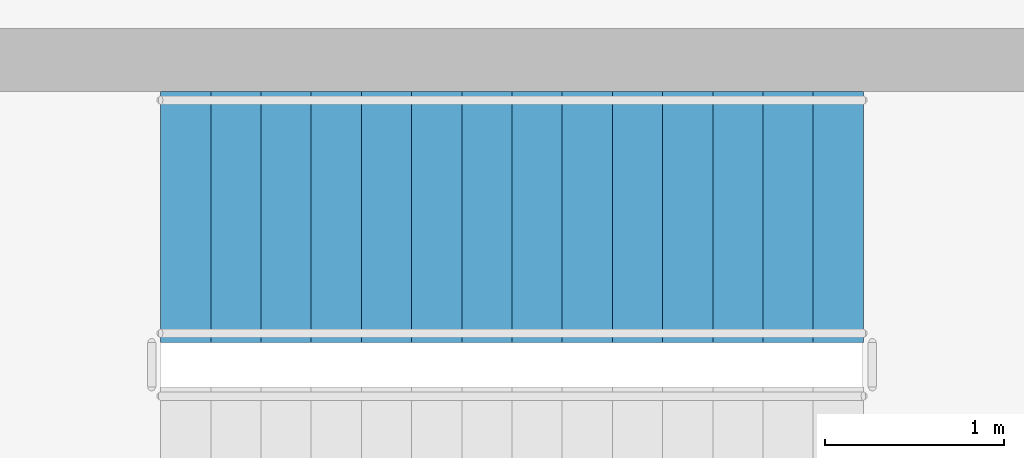
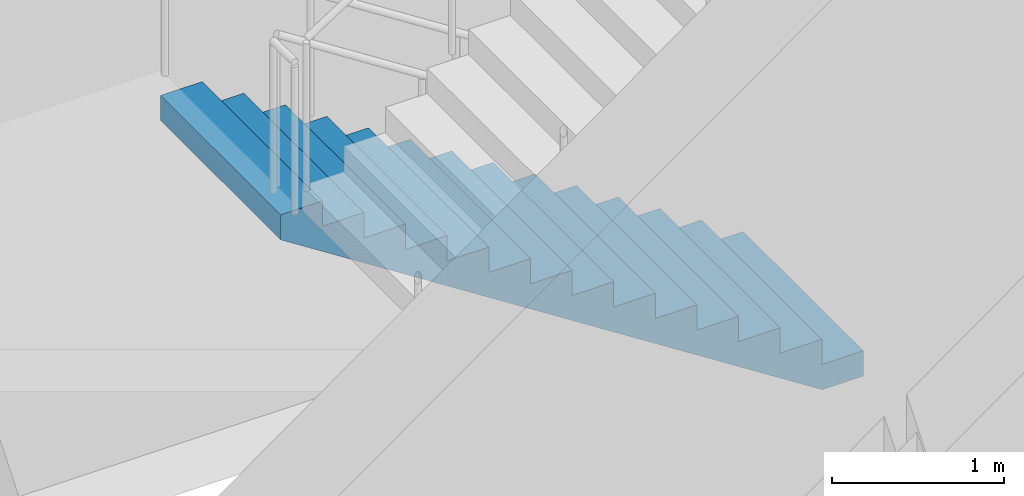
# One storey, part 26 of 29: 1 stair flight, 1 element without a shape of its own.
"""IFC4 building model written with IfcOpenShell, lengths in metres."""

from ifc_helpers import new_model, si_unit, direction, frame, origin, place, context, subcontext, project, spatial, polyline, outline, extrude, material, type_object, element, aggregate, save


model = new_model("IFC4")

# Units and contexts
model_context = context("Model", 3, precision=1e-05, world=origin(), true_north=direction((0.0, 1.0)))
body_context = subcontext(model_context, "Body", "Model", "MODEL_VIEW")
ifc_project = project(units=[si_unit("LENGTHUNIT", "METRE"), si_unit("AREAUNIT", "SQUARE_METRE"), si_unit("VOLUMEUNIT", "CUBIC_METRE"), si_unit("PLANEANGLEUNIT", "RADIAN"), si_unit("MASSUNIT", "GRAM", prefix="KILO")], contexts=[model_context])

# Site, building, storey
site_placement = place(None, origin())
site = spatial("IfcSite", under=ifc_project, at=site_placement, CompositionType="ELEMENT")
building_placement = place(site_placement, origin())
building = spatial("IfcBuilding", under=site, at=building_placement, Name="Solvirekh Grand Hotel", CompositionType="ELEMENT")
storey_placement = place(building_placement, frame((0.0, 0.0, 7.199951171875)))
storey = spatial("IfcBuildingStorey", under=building, at=storey_placement, Name="L01", CompositionType="ELEMENT", Elevation=7.199951171875)

# Stair, stair flight
ifc_material = material(Name="Steel S355", Category="steel")
stair_type = type_object("IfcStairType", Name="Stair_Grand_2000", PredefinedType="STRAIGHT_RUN_STAIR", material=ifc_material)
stair_placement = place(storey_placement, origin())
stair = element("IfcStair", 1, at=stair_placement, inside=storey, type_object=stair_type, Name="L01 Enclosed exit stair ST-4", PredefinedType="STRAIGHT_RUN_STAIR")
stair_flight_type = type_object("IfcStairFlightType", Name="Flight_Grand_2000", PredefinedType="STRAIGHT", material=ifc_material)
stair_flight_placement = place(storey_placement, frame((2.449951171875, 10.199951171875, 0.0), z_axis=(0.0, 0.0, 1.0), x_axis=(-1.0, 0.0, 0.0)))
stair_flight = element("IfcStairFlight", 2, at=stair_flight_placement, type_object=stair_flight_type, Name="ST-4 flight 1", NumberOfRisers=15, NumberOfTreads=14, PredefinedType="STRAIGHT", RiserHeight=0.18, TreadLength=0.28, context=body_context, shape_type="SweptSolid", body=[
    extrude(outline(polyline([(0.0, 0.0), (0.0, 0.179931640625), (0.280029296875, 0.179931640625), (0.280029296875, 0.360107421875), (0.56005859375, 0.360107421875), (0.56005859375, 0.5400390625), (0.840087890625, 0.5400390625), (0.840087890625, 0.719970703125), (1.1201171875, 0.719970703125), (1.1201171875, 0.89990234375), (1.39990234375, 0.89990234375), (1.39990234375, 1.080078125), (1.679931640625, 1.080078125), (1.679931640625, 1.260009765625), (1.9599609375, 1.260009765625), (1.9599609375, 1.43994140625), (2.239990234375, 1.43994140625), (2.239990234375, 1.6201171875), (2.52001953125, 1.6201171875), (2.52001953125, 1.800048828125), (2.800048828125, 1.800048828125), (2.800048828125, 1.97998046875), (3.080078125, 1.97998046875), (3.080078125, 2.159912109375), (3.360107421875, 2.159912109375), (3.360107421875, 2.340087890625), (3.639892578125, 2.340087890625), (3.639892578125, 2.52001953125), (3.919921875, 2.52001953125), (3.919921875, 2.699951171875), (3.919921875, 2.341796875), (0.277099609375, 0.0), (0.0, 0.0)])), frame((0.0, 0.699951171875, 0.0), z_axis=(0.0, -1.0, 0.0), x_axis=(1.0, 0.0, 0.0)), (0.0, 0.0, 1.0), 1.39990234375),
])
aggregate(stair, [stair_flight])

save(model, "model.ifc")
